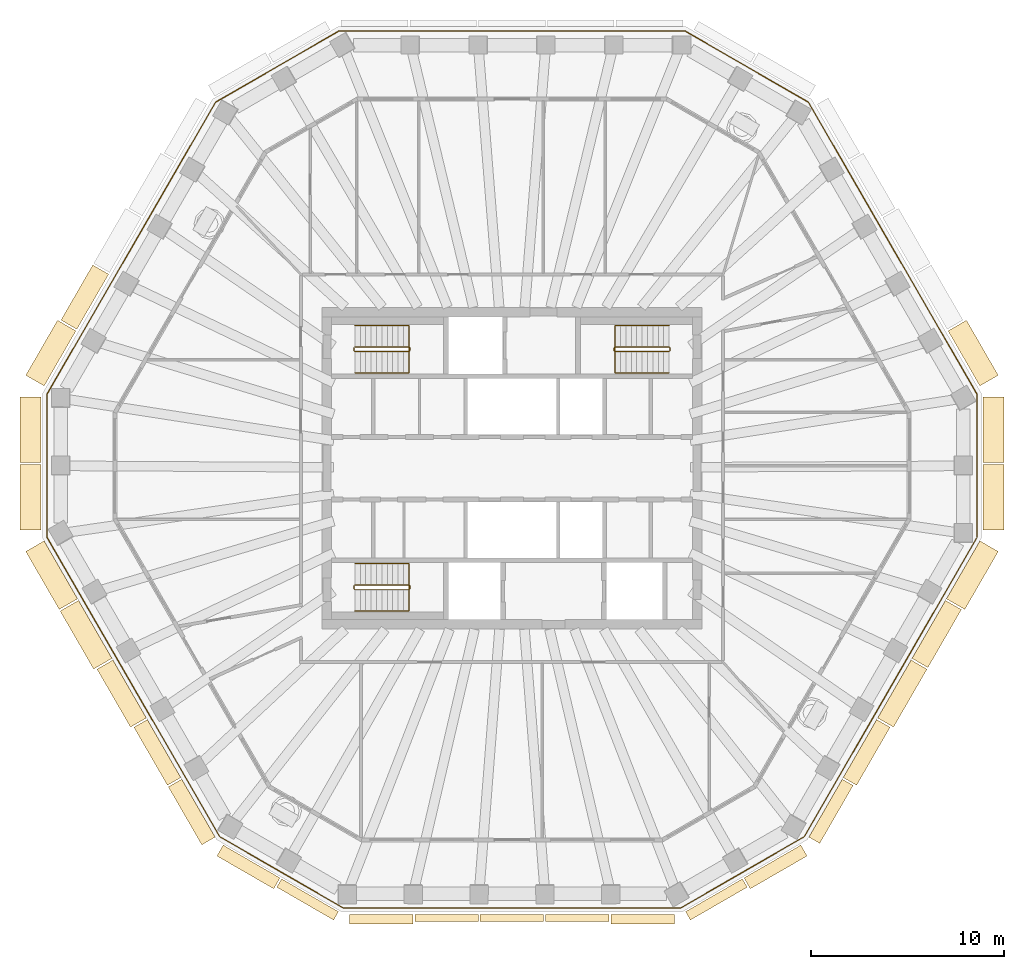
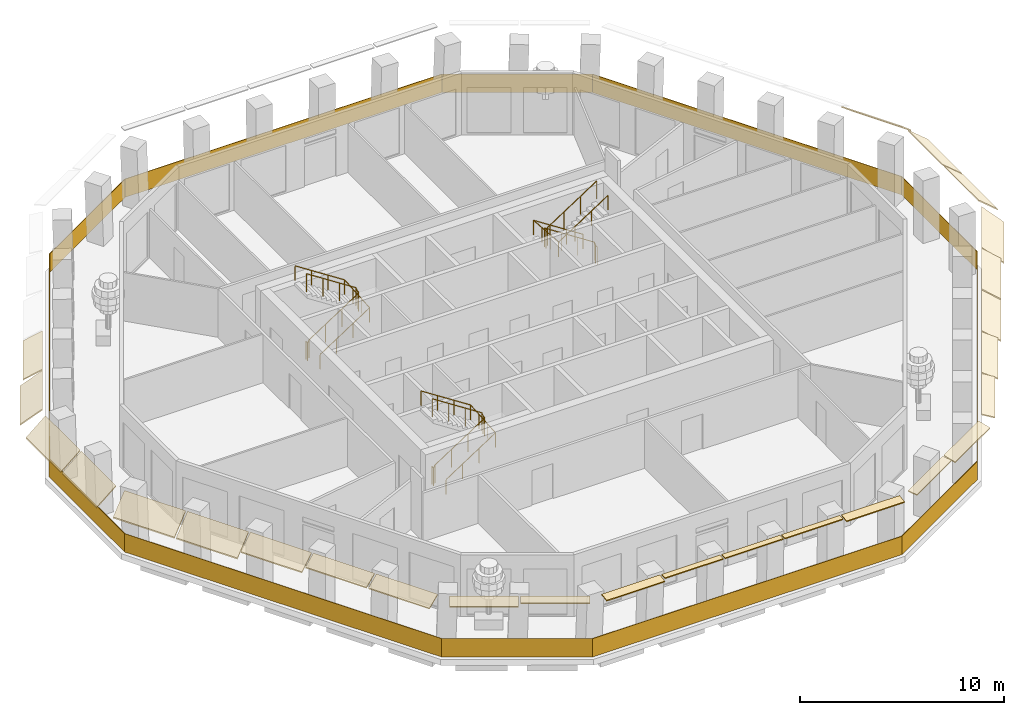
# One storey, part 9 of 12: 26 coverings, 7 railings.
"""IFC4 building model written with IfcOpenShell, lengths in metres."""

from ifc_helpers import new_model, si_unit, direction, frame, origin, origin_2d, place, context, subcontext, project, spatial, polyline, rectangle, circle, outline, extrude, material, layer, layer_set, type_object, element, save


model = new_model("IFC4")

# Units and contexts
model_context = context("Model", 3, precision=1e-05, world=origin(), true_north=direction((0.0, 1.0)))
body_context = subcontext(model_context, "Body", "Model", "MODEL_VIEW")
ifc_project = project(units=[si_unit("LENGTHUNIT", "METRE"), si_unit("AREAUNIT", "SQUARE_METRE"), si_unit("VOLUMEUNIT", "CUBIC_METRE"), si_unit("PLANEANGLEUNIT", "RADIAN"), si_unit("MASSUNIT", "GRAM", prefix="KILO")], contexts=[model_context])

# Site, building, storey
site_placement = place(None, origin())
site = spatial("IfcSite", under=ifc_project, at=site_placement, CompositionType="ELEMENT")
building_placement = place(site_placement, origin())
building = spatial("IfcBuilding", under=site, at=building_placement, Name="Frailejon Research Tower", CompositionType="ELEMENT")
storey_placement = place(building_placement, frame((0.0, 0.0, 267.0)))
storey = spatial("IfcBuildingStorey", under=building, at=storey_placement, Name="L58", CompositionType="ELEMENT", Elevation=267.0)

# Coverings
ifc_material_1 = material(Name="Precast concrete C50/60", Category="concrete")
ifc_layer_1 = layer(ifc_material_1, 0.06005859375)
ifc_layer_set_1 = layer_set([ifc_layer_1], Name="Brim blade depth 1100")
covering_type_1 = type_object("IfcCoveringType", Name="Brim blade depth 1100", PredefinedType="CLADDING", material=ifc_layer_set_1)
for number, where, z_axis, x_axis, name in (
    (1, (24.4189453125, 0.201416015625, 3.85009765625), (0.0, -1.0, 0.0), (1.0, 0.0, 0.0), "Brim blade L58"),
    (2, (24.4189453125, 3.703369140625, 3.85009765625), (0.0, -1.0, 0.0), (1.0, 0.0, 0.0), "Brim blade L58"),
):
    element("IfcCovering", number, at=place(storey_placement, frame(where, z_axis=z_axis, x_axis=x_axis)), inside=storey, type_object=covering_type_1, Name=name, PredefinedType="CLADDING", context=body_context, shape_type="SweptSolid", body=[
        extrude(outline(polyline([(0.0, -0.078369140625), (1.10009765625, -1.001220703125), (1.10009765625, -0.923095703125), (0.0, 0.0), (0.0, -0.078369140625)])), origin(), (0.0, 0.0, 1.0), 3.402099609375),
    ])
for number, where, z_axis, x_axis, name in (
    (3, (22.619873046875, 7.1240234375, 3.85009765625), (0.500005590161, -0.866022176279, 0.0), (0.866022176279, 0.500005590161, 0.0), "Brim blade L58"),
    (4, (-24.2666015625, 4.271728515625, 3.85009765625), (0.500005590161, 0.866022176279, 0.0), (-0.866022176279, 0.500005590161, 0.0), "Brim blade L58"),
):
    element("IfcCovering", number, at=place(storey_placement, frame(where, z_axis=z_axis, x_axis=x_axis)), inside=storey, type_object=covering_type_1, Name=name, PredefinedType="CLADDING", context=body_context, shape_type="SweptSolid", body=[
        extrude(outline(polyline([(0.0, -0.078369140625), (1.10009765625, -1.001220703125), (1.10009765625, -0.923095703125), (0.0, 0.0), (0.0, -0.078369140625)])), origin(), (0.0, 0.0, 1.0), 3.293701171875),
    ])
for number, where, z_axis, x_axis, name in (
    (5, (-24.4189453125, 0.301513671875, 3.85009765625), (0.0, 1.0, 0.0), (-1.0, 0.0, 0.0), "Brim blade L58"),
    (6, (-24.4189453125, -3.20068359375, 3.85009765625), (0.0, 1.0, 0.0), (-1.0, 0.0, 0.0), "Brim blade L58"),
):
    element("IfcCovering", number, at=place(storey_placement, frame(where, z_axis=z_axis, x_axis=x_axis)), inside=storey, type_object=covering_type_1, Name=name, PredefinedType="CLADDING", context=body_context, shape_type="SweptSolid", body=[
        extrude(outline(polyline([(0.0, -0.078369140625), (1.10009765625, -1.001220703125), (1.10009765625, -0.923095703125), (0.0, 0.0), (0.0, -0.078369140625)])), origin(), (0.0, 0.0, 1.0), 3.402099609375),
    ])
for number, where, z_axis, x_axis, name in (
    (7, (-22.53271484375, -6.77197265625, 3.85009765625), (-0.5000127967, 0.86601801548, 0.0), (-0.86601801548, -0.5000127967, 0.0), "Brim blade L58"),
    (8, (-20.748779296875, -9.86181640625, 3.85009765625), (-0.500000659884, 0.8660250228, 0.0), (-0.8660250228, -0.500000659884, 0.0), "Brim blade L58"),
    (9, (24.2666015625, -3.768798828125, 3.85009765625), (-0.5000127967, -0.86601801548, 0.0), (0.86601801548, -0.5000127967, 0.0), "Brim blade L58"),
):
    element("IfcCovering", number, at=place(storey_placement, frame(where, z_axis=z_axis, x_axis=x_axis)), inside=storey, type_object=covering_type_1, Name=name, PredefinedType="CLADDING", context=body_context, shape_type="SweptSolid", body=[
        extrude(outline(polyline([(0.0, -0.078369140625), (1.10009765625, -1.001220703125), (1.10009765625, -0.923095703125), (0.0, 0.0), (0.0, -0.078369140625)])), origin(), (0.0, 0.0, 1.0), 3.4677734375),
    ])
ifc_material_2 = material(Name="Precast concrete C50/60", Category="concrete")
ifc_layer_2 = layer(ifc_material_2, 0.06005859375)
ifc_layer_set_2 = layer_set([ifc_layer_2], Name="Brim blade depth 350")
covering_type_2 = type_object("IfcCoveringType", Name="Brim blade depth 350", PredefinedType="CLADDING", material=ifc_layer_set_2)
for number, where, z_axis, x_axis, name in (
    (10, (-1.746826171875, -23.1513671875, 3.85009765625), (-1.0, 0.0, 0.0), (0.0, -1.0, 0.0), "Brim blade L58"),
    (11, (1.646728515625, -23.1513671875, 3.85009765625), (-1.0, 0.0, 0.0), (0.0, -1.0, 0.0), "Brim blade L58"),
    (12, (5.040283203125, -23.1513671875, 3.85009765625), (-1.0, 0.0, 0.0), (0.0, -1.0, 0.0), "Brim blade L58"),
):
    element("IfcCovering", number, at=place(storey_placement, frame(where, z_axis=z_axis, x_axis=x_axis)), inside=storey, type_object=covering_type_2, Name=name, PredefinedType="CLADDING", context=body_context, shape_type="SweptSolid", body=[
        extrude(outline(polyline([(0.0, -0.06005859375), (0.35009765625, -0.06005859375), (0.35009765625, 0.0), (0.0, 0.0), (0.0, -0.06005859375)])), origin(), (0.0, 0.0, 1.0), 3.293701171875),
    ])
ifc_material_3 = material(Name="Precast concrete C50/60", Category="concrete")
ifc_layer_3 = layer(ifc_material_3, 0.06005859375)
ifc_layer_set_3 = layer_set([ifc_layer_3], Name="Brim blade depth 500")
covering_type_3 = type_object("IfcCoveringType", Name="Brim blade depth 500", PredefinedType="CLADDING", material=ifc_layer_set_3)
covering_1_placement = place(storey_placement, frame((-9.002197265625, -22.9990234375, 3.85009765625), z_axis=(-0.866023907216, 0.500002592124, 0.0), x_axis=(-0.500002592124, -0.866023907216, 0.0)))
element("IfcCovering", 13, at=covering_1_placement, inside=storey, type_object=covering_type_3, Name="Brim blade L58", PredefinedType="CLADDING", context=body_context, shape_type="SweptSolid", body=[
    extrude(outline(polyline([(0.0, -0.060546875), (0.5, -0.130859375), (0.5, -0.0703125), (0.0, 0.0), (0.0, -0.060546875)])), origin(), (0.0, 0.0, 1.0), 3.402099609375),
])
for number, where, z_axis, x_axis, name in (
    (14, (-5.140380859375, -23.1513671875, 3.85009765625), (-1.0, 0.0, 0.0), (0.0, -1.0, 0.0), "Brim blade L58"),
    (15, (8.43408203125, -23.1513671875, 3.85009765625), (-1.0, 0.0, 0.0), (0.0, -1.0, 0.0), "Brim blade L58"),
):
    element("IfcCovering", number, at=place(storey_placement, frame(where, z_axis=z_axis, x_axis=x_axis)), inside=storey, type_object=covering_type_3, Name=name, PredefinedType="CLADDING", context=body_context, shape_type="SweptSolid", body=[
        extrude(outline(polyline([(0.0, -0.060546875), (0.5, -0.130859375), (0.5, -0.0703125), (0.0, 0.0), (0.0, -0.060546875)])), origin(), (0.0, 0.0, 1.0), 3.293701171875),
    ])
covering_2_placement = place(storey_placement, frame((11.948486328125, -21.298095703125, 3.85009765625), z_axis=(-0.866023907216, -0.500002592124, 0.0), x_axis=(0.500002592124, -0.866023907216, 0.0)))
element("IfcCovering", 16, at=covering_2_placement, inside=storey, type_object=covering_type_3, Name="Brim blade L58", PredefinedType="CLADDING", context=body_context, shape_type="SweptSolid", body=[
    extrude(outline(polyline([(0.0, -0.060546875), (0.5, -0.130859375), (0.5, -0.0703125), (0.0, 0.0), (0.0, -0.060546875)])), origin(), (0.0, 0.0, 1.0), 3.402099609375),
])
ifc_material_4 = material(Name="Precast concrete C50/60", Category="concrete")
ifc_layer_4 = layer(ifc_material_4, 0.06005859375)
ifc_layer_set_4 = layer_set([ifc_layer_4], Name="Brim blade depth 650")
covering_type_4 = type_object("IfcCoveringType", Name="Brim blade depth 650", PredefinedType="CLADDING", material=ifc_layer_set_4)
for number, where, z_axis, x_axis, name in (
    (17, (-12.03515625, -21.248046875, 3.85009765625), (-0.866016768138, 0.50001495708, 0.0), (-0.50001495708, -0.866016768138, 0.0), "Brim blade L58"),
    (18, (14.981201171875, -19.547119140625, 3.85009765625), (-0.866016768138, -0.50001495708, 0.0), (0.50001495708, -0.866016768138, 0.0), "Brim blade L58"),
):
    element("IfcCovering", number, at=place(storey_placement, frame(where, z_axis=z_axis, x_axis=x_axis)), inside=storey, type_object=covering_type_4, Name=name, PredefinedType="CLADDING", context=body_context, shape_type="SweptSolid", body=[
        extrude(outline(polyline([(0.0, -0.0625), (0.64990234375, -0.248779296875), (0.64990234375, -0.186279296875), (0.0, 0.0), (0.0, -0.0625)])), origin(), (0.0, 0.0, 1.0), 3.40185546875),
    ])
covering_3_placement = place(storey_placement, frame((17.131103515625, -16.1279296875, 3.85009765625), z_axis=(-0.5000127967, -0.86601801548, 0.0), x_axis=(0.86601801548, -0.5000127967, 0.0)))
element("IfcCovering", 19, at=covering_3_placement, inside=storey, type_object=covering_type_4, Name="Brim blade L58", PredefinedType="CLADDING", context=body_context, shape_type="SweptSolid", body=[
    extrude(outline(polyline([(0.0, -0.0625), (0.64990234375, -0.248779296875), (0.64990234375, -0.186279296875), (0.0, 0.0), (0.0, -0.0625)])), origin(), (0.0, 0.0, 1.0), 3.4677734375),
])
ifc_material_5 = material(Name="Precast concrete C50/60", Category="concrete")
ifc_layer_5 = layer(ifc_material_5, 0.06005859375)
ifc_layer_set_5 = layer_set([ifc_layer_5], Name="Brim blade depth 800")
covering_type_5 = type_object("IfcCoveringType", Name="Brim blade depth 800", PredefinedType="CLADDING", material=ifc_layer_set_5)
for number, where, z_axis, x_axis, name in (
    (20, (-17.18115234375, -16.04150390625, 3.85009765625), (-0.500000659884, 0.8660250228, 0.0), (-0.8660250228, -0.500000659884, 0.0), "Brim blade L58"),
    (21, (-15.397216796875, -19.131103515625, 3.85009765625), (-0.5000127967, 0.86601801548, 0.0), (-0.86601801548, -0.5000127967, 0.0), "Brim blade L58"),
    (22, (18.9150390625, -13.0380859375, 3.85009765625), (-0.500000659884, -0.8660250228, 0.0), (0.8660250228, -0.500000659884, 0.0), "Brim blade L58"),
):
    element("IfcCovering", number, at=place(storey_placement, frame(where, z_axis=z_axis, x_axis=x_axis)), inside=storey, type_object=covering_type_5, Name=name, PredefinedType="CLADDING", context=body_context, shape_type="SweptSolid", body=[
        extrude(outline(polyline([(0.0, -0.065673828125), (0.800048828125, -0.421875), (0.800048828125, -0.356201171875), (0.0, 0.0), (0.0, -0.065673828125)])), origin(), (0.0, 0.0, 1.0), 3.4677734375),
    ])
ifc_material_6 = material(Name="Precast concrete C50/60", Category="concrete")
ifc_layer_6 = layer(ifc_material_6, 0.06005859375)
ifc_layer_set_6 = layer_set([ifc_layer_6], Name="Brim blade depth 950")
covering_type_6 = type_object("IfcCoveringType", Name="Brim blade depth 950", PredefinedType="CLADDING", material=ifc_layer_set_6)
covering_4_placement = place(storey_placement, frame((-22.56982421875, 7.210693359375, 3.85009765625), z_axis=(0.500005590161, 0.866022176279, 0.0), x_axis=(-0.866022176279, 0.500005590161, 0.0)))
element("IfcCovering", 23, at=covering_4_placement, inside=storey, type_object=covering_type_6, Name="Brim blade L58", PredefinedType="CLADDING", context=body_context, shape_type="SweptSolid", body=[
    extrude(outline(polyline([(0.0, -0.07080078125), (0.949951171875, -0.664306640625), (0.949951171875, -0.593505859375), (0.0, 0.0), (0.0, -0.07080078125)])), origin(), (0.0, 0.0, 1.0), 3.293701171875),
])
for number, where, z_axis, x_axis, name in (
    (24, (-18.965087890625, -12.95166015625, 3.85009765625), (-0.500000659884, 0.8660250228, 0.0), (-0.8660250228, -0.500000659884, 0.0), "Brim blade L58"),
    (25, (20.698974609375, -9.948486328125, 3.85009765625), (-0.500000659884, -0.8660250228, 0.0), (0.8660250228, -0.500000659884, 0.0), "Brim blade L58"),
    (26, (22.48291015625, -6.858642578125, 3.85009765625), (-0.500000659884, -0.8660250228, 0.0), (0.8660250228, -0.500000659884, 0.0), "Brim blade L58"),
):
    element("IfcCovering", number, at=place(storey_placement, frame(where, z_axis=z_axis, x_axis=x_axis)), inside=storey, type_object=covering_type_6, Name=name, PredefinedType="CLADDING", context=body_context, shape_type="SweptSolid", body=[
        extrude(outline(polyline([(0.0, -0.07080078125), (0.949951171875, -0.664306640625), (0.949951171875, -0.593505859375), (0.0, 0.0), (0.0, -0.07080078125)])), origin(), (0.0, 0.0, 1.0), 3.4677734375),
    ])

# Railings
ifc_material_7 = material(Name="Laminated glass balustrade", Category="glass")
railing_type_1 = type_object("IfcRailingType", Name="Glass guard 1100", PredefinedType="GUARDRAIL", material=ifc_material_7)
railing_1_placement = place(storey_placement, frame((24.128173828125, -3.572509765625, 0.0)))
element("IfcRailing", 27, at=railing_1_placement, inside=storey, type_object=railing_type_1, Name="Loggia guard L58", PredefinedType="GUARDRAIL", context=body_context, shape_type="SweptSolid", body=[
    extrude(rectangle(XDim=7.396240234375, YDim=0.030029296875, at=origin_2d()), frame((0.0, 3.6982421875, 0.0), z_axis=(0.0, 0.0, 1.0), x_axis=(0.0, 1.0, 0.0)), (0.0, 0.0, 1.0), 1.10009765625),
    extrude(rectangle(XDim=17.50537109375, YDim=0.030029296875, at=origin_2d()), frame((-4.37646484375, 14.976318359375, 0.0), z_axis=(0.0, 0.0, 1.0), x_axis=(-0.499998511388, 0.866026263233, 0.0)), (0.0, 0.0, 1.0), 1.10009765625),
    extrude(rectangle(XDim=7.39599609375, YDim=0.030029296875, at=origin_2d()), frame((-11.955078125, 24.4052734375, 0.0), z_axis=(0.0, 0.0, 1.0), x_axis=(-0.866022320763, 0.500005339912, 0.0)), (0.0, 0.0, 1.0), 1.10009765625),
    extrude(rectangle(XDim=17.94091796875, YDim=0.030029296875, at=origin_2d()), frame((-24.128173828125, 26.25439453125, 0.0), z_axis=(0.0, 0.0, 1.0), x_axis=(-1.0, 0.0, 0.0)), (0.0, 0.0, 1.0), 1.10009765625),
    extrude(rectangle(XDim=7.39599609375, YDim=0.030029296875, at=origin_2d()), frame((-36.30126953125, 24.4052734375, 0.0), z_axis=(0.0, 0.0, 1.0), x_axis=(-0.866022320763, -0.500005339912, 0.0)), (0.0, 0.0, 1.0), 1.10009765625),
    extrude(rectangle(XDim=17.50537109375, YDim=0.030029296875, at=origin_2d()), frame((-43.8798828125, 14.976318359375, 0.0), z_axis=(0.0, 0.0, 1.0), x_axis=(-0.499998511388, -0.866026263233, 0.0)), (0.0, 0.0, 1.0), 1.10009765625),
    extrude(rectangle(XDim=7.396240234375, YDim=0.030029296875, at=origin_2d()), frame((-48.25634765625, 3.6982421875, 0.0), z_axis=(0.0, 0.0, 1.0), x_axis=(0.0, -1.0, 0.0)), (0.0, 0.0, 1.0), 1.10009765625),
    extrude(rectangle(XDim=17.940673828125, YDim=0.030029296875, at=origin_2d()), frame((-43.771240234375, -7.7685546875, 0.0), z_axis=(0.0, 0.0, 1.0), x_axis=(0.499994170918, -0.86602876918, 0.0)), (0.0, 0.0, 1.0), 1.10009765625),
    extrude(rectangle(XDim=7.396240234375, YDim=0.030029296875, at=origin_2d()), frame((-36.08349609375, -17.38623046875, 0.0), z_axis=(0.0, 0.0, 1.0), x_axis=(0.866030573133, -0.49999104632, 0.0)), (0.0, 0.0, 1.0), 1.10009765625),
    extrude(rectangle(XDim=17.50537109375, YDim=0.030029296875, at=origin_2d()), frame((-24.128173828125, -19.235107421875, 0.0), z_axis=(0.0, 0.0, 1.0), x_axis=(1.0, 0.0, 0.0)), (0.0, 0.0, 1.0), 1.10009765625),
    extrude(rectangle(XDim=7.396240234375, YDim=0.030029296875, at=origin_2d()), frame((-12.1728515625, -17.38623046875, 0.0), z_axis=(0.0, 0.0, 1.0), x_axis=(0.866030573133, 0.49999104632, 0.0)), (0.0, 0.0, 1.0), 1.10009765625),
    extrude(rectangle(XDim=17.870849609375, YDim=0.030029296875, at=origin_2d()), frame((-4.50244140625, -7.798828125, 0.0), z_axis=(0.0, 0.0, 1.0), x_axis=(0.499996021798, 0.866027700588, 0.0)), (0.0, 0.0, 1.0), 1.10009765625),
])
ifc_material_8 = material(Name="Stainless steel", Category="steel")
railing_type_2 = type_object("IfcRailingType", Name="Stair guard 1100", PredefinedType="GUARDRAIL", material=ifc_material_8)
railing_2_placement = place(storey_placement, frame((-8.199951171875, 6.25, 0.0)))
element("IfcRailing", 28, at=railing_2_placement, inside=storey, type_object=railing_type_2, Name="L58 ST1 stair guard 1", PredefinedType="GUARDRAIL", context=body_context, shape_type="SweptSolid", body=[
    extrude(circle(Radius=0.02392578125, at=origin_2d()), frame((0.0, 0.0, 1.076171875), z_axis=(0.0, -1.0, 0.0), x_axis=(1.0, 0.0, 0.0)), (0.0, 0.0, 1.0), 0.14990234375),
    extrude(circle(Radius=0.02392578125, at=origin_2d()), frame((0.0, -0.14990234375, 1.076171875), z_axis=(0.256435381639, -0.256435381639, 0.931923704005), x_axis=(0.707106781187, 0.707106781187, 0.0)), (0.0, 0.0, 1.0), 0.195068359375),
    extrude(circle(Radius=0.02392578125, at=origin_2d()), frame((0.050048828125, -0.199951171875, 1.2578125), z_axis=(0.83868413941, 0.0, 0.544618136222), x_axis=(0.0, 1.0, 0.0)), (0.0, 0.0, 1.0), 3.33837890625),
    extrude(circle(Radius=0.02392578125, at=origin_2d()), frame((2.849853515625, -0.199951171875, 3.076171875), z_axis=(0.707106781187, 0.707106781187, 0.0), x_axis=(-0.707106781187, 0.707106781187, 0.0)), (0.0, 0.0, 1.0), 0.07080078125),
    extrude(circle(Radius=0.02392578125, at=origin_2d()), frame((2.89990234375, -0.14990234375, 3.076171875), z_axis=(0.0, 1.0, 0.0), x_axis=(-1.0, 0.0, 0.0)), (0.0, 0.0, 1.0), 0.14990234375),
    extrude(circle(Radius=0.02392578125, at=origin_2d()), frame((2.89990234375, 0.0, 3.076171875), z_axis=(-0.256435381639, 0.256435381639, 0.931923704005), x_axis=(-0.707106781187, -0.707106781187, 0.0)), (0.0, 0.0, 1.0), 0.195068359375),
    extrude(circle(Radius=0.02392578125, at=origin_2d()), frame((2.849853515625, 0.050048828125, 3.2578125), z_axis=(-0.83868413941, 0.0, 0.544618136222), x_axis=(0.0, -1.0, 0.0)), (0.0, 0.0, 1.0), 3.33837890625),
    extrude(circle(Radius=0.02099609375, at=origin_2d()), origin(), (0.0, 0.0, 1.0), 1.052001953125),
    extrude(circle(Radius=0.02099609375, at=origin_2d()), frame((0.0, -0.14990234375, 0.0)), (0.0, 0.0, 1.0), 1.052001953125),
    extrude(circle(Radius=0.02099609375, at=origin_2d()), frame((0.050048828125, -0.199951171875, 0.181884765625)), (0.0, 0.0, 1.0), 1.052001953125),
    extrude(circle(Radius=0.02099609375, at=origin_2d()), frame((0.9833984375, -0.199951171875, 0.787841796875)), (0.0, 0.0, 1.0), 1.052001953125),
    extrude(circle(Radius=0.02099609375, at=origin_2d()), frame((1.91650390625, -0.199951171875, 1.39404296875)), (0.0, 0.0, 1.0), 1.052001953125),
    extrude(circle(Radius=0.02099609375, at=origin_2d()), frame((2.849853515625, -0.199951171875, 2.0)), (0.0, 0.0, 1.0), 1.052001953125),
    extrude(circle(Radius=0.02099609375, at=origin_2d()), frame((2.89990234375, -0.14990234375, 2.0)), (0.0, 0.0, 1.0), 1.052001953125),
    extrude(circle(Radius=0.02099609375, at=origin_2d()), frame((2.89990234375, 0.0, 2.0)), (0.0, 0.0, 1.0), 1.052001953125),
    extrude(circle(Radius=0.02099609375, at=origin_2d()), frame((2.849853515625, 0.050048828125, 2.181884765625)), (0.0, 0.0, 1.0), 1.052001953125),
    extrude(circle(Radius=0.02099609375, at=origin_2d()), frame((1.91650390625, 0.050048828125, 2.787841796875)), (0.0, 0.0, 1.0), 1.052001953125),
    extrude(circle(Radius=0.02099609375, at=origin_2d()), frame((0.9833984375, 0.050048828125, 3.39404296875)), (0.0, 0.0, 1.0), 1.052001953125),
    extrude(circle(Radius=0.02099609375, at=origin_2d()), frame((0.050048828125, 0.050048828125, 4.0)), (0.0, 0.0, 1.0), 1.052001953125),
])
railing_3_placement = place(storey_placement, frame((-8.199951171875, -6.10009765625, 0.0)))
element("IfcRailing", 29, at=railing_3_placement, inside=storey, type_object=railing_type_2, Name="L58 ST2 stair guard 1", PredefinedType="GUARDRAIL", context=body_context, shape_type="SweptSolid", body=[
    extrude(circle(Radius=0.02392578125, at=origin_2d()), frame((0.0, 0.0, 1.076171875), z_axis=(0.0, -1.0, 0.0), x_axis=(1.0, 0.0, 0.0)), (0.0, 0.0, 1.0), 0.14990234375),
    extrude(circle(Radius=0.02392578125, at=origin_2d()), frame((0.0, -0.14990234375, 1.076171875), z_axis=(0.256435381639, -0.256435381639, 0.931923704005), x_axis=(0.707106781187, 0.707106781187, 0.0)), (0.0, 0.0, 1.0), 0.195068359375),
    extrude(circle(Radius=0.02392578125, at=origin_2d()), frame((0.050048828125, -0.199951171875, 1.2578125), z_axis=(0.83868413941, 0.0, 0.544618136222), x_axis=(0.0, 1.0, 0.0)), (0.0, 0.0, 1.0), 3.33837890625),
    extrude(circle(Radius=0.02392578125, at=origin_2d()), frame((2.849853515625, -0.199951171875, 3.076171875), z_axis=(0.707106781187, 0.707106781187, 0.0), x_axis=(-0.707106781187, 0.707106781187, 0.0)), (0.0, 0.0, 1.0), 0.07080078125),
    extrude(circle(Radius=0.02392578125, at=origin_2d()), frame((2.89990234375, -0.14990234375, 3.076171875), z_axis=(0.0, 1.0, 0.0), x_axis=(-1.0, 0.0, 0.0)), (0.0, 0.0, 1.0), 0.14990234375),
    extrude(circle(Radius=0.02392578125, at=origin_2d()), frame((2.89990234375, 0.0, 3.076171875), z_axis=(-0.256435381639, 0.256435381639, 0.931923704005), x_axis=(-0.707106781187, -0.707106781187, 0.0)), (0.0, 0.0, 1.0), 0.195068359375),
    extrude(circle(Radius=0.02392578125, at=origin_2d()), frame((2.849853515625, 0.050048828125, 3.2578125), z_axis=(-0.83868413941, 0.0, 0.544618136222), x_axis=(0.0, -1.0, 0.0)), (0.0, 0.0, 1.0), 3.33837890625),
    extrude(circle(Radius=0.02099609375, at=origin_2d()), origin(), (0.0, 0.0, 1.0), 1.052001953125),
    extrude(circle(Radius=0.02099609375, at=origin_2d()), frame((0.0, -0.14990234375, 0.0)), (0.0, 0.0, 1.0), 1.052001953125),
    extrude(circle(Radius=0.02099609375, at=origin_2d()), frame((0.050048828125, -0.199951171875, 0.181884765625)), (0.0, 0.0, 1.0), 1.052001953125),
    extrude(circle(Radius=0.02099609375, at=origin_2d()), frame((0.9833984375, -0.199951171875, 0.787841796875)), (0.0, 0.0, 1.0), 1.052001953125),
    extrude(circle(Radius=0.02099609375, at=origin_2d()), frame((1.91650390625, -0.199951171875, 1.39404296875)), (0.0, 0.0, 1.0), 1.052001953125),
    extrude(circle(Radius=0.02099609375, at=origin_2d()), frame((2.849853515625, -0.199951171875, 2.0)), (0.0, 0.0, 1.0), 1.052001953125),
    extrude(circle(Radius=0.02099609375, at=origin_2d()), frame((2.89990234375, -0.14990234375, 2.0)), (0.0, 0.0, 1.0), 1.052001953125),
    extrude(circle(Radius=0.02099609375, at=origin_2d()), frame((2.89990234375, 0.0, 2.0)), (0.0, 0.0, 1.0), 1.052001953125),
    extrude(circle(Radius=0.02099609375, at=origin_2d()), frame((2.849853515625, 0.050048828125, 2.181884765625)), (0.0, 0.0, 1.0), 1.052001953125),
    extrude(circle(Radius=0.02099609375, at=origin_2d()), frame((1.91650390625, 0.050048828125, 2.787841796875)), (0.0, 0.0, 1.0), 1.052001953125),
    extrude(circle(Radius=0.02099609375, at=origin_2d()), frame((0.9833984375, 0.050048828125, 3.39404296875)), (0.0, 0.0, 1.0), 1.052001953125),
    extrude(circle(Radius=0.02099609375, at=origin_2d()), frame((0.050048828125, 0.050048828125, 4.0)), (0.0, 0.0, 1.0), 1.052001953125),
])
railing_4_placement = place(storey_placement, frame((8.199951171875, 6.10009765625, 0.0)))
element("IfcRailing", 30, at=railing_4_placement, inside=storey, type_object=railing_type_2, Name="L58 ST3 stair guard 1", PredefinedType="GUARDRAIL", context=body_context, shape_type="SweptSolid", body=[
    extrude(circle(Radius=0.02392578125, at=origin_2d()), frame((0.0, 0.0, 1.076171875), z_axis=(0.0, 1.0, 0.0), x_axis=(-1.0, 0.0, 0.0)), (0.0, 0.0, 1.0), 0.14990234375),
    extrude(circle(Radius=0.02392578125, at=origin_2d()), frame((0.0, 0.14990234375, 1.076171875), z_axis=(-0.256435381639, 0.256435381639, 0.931923704005), x_axis=(-0.707106781187, -0.707106781187, 0.0)), (0.0, 0.0, 1.0), 0.195068359375),
    extrude(circle(Radius=0.02392578125, at=origin_2d()), frame((-0.050048828125, 0.199951171875, 1.2578125), z_axis=(-0.83868413941, 0.0, 0.544618136222), x_axis=(0.0, -1.0, 0.0)), (0.0, 0.0, 1.0), 3.33837890625),
    extrude(circle(Radius=0.02392578125, at=origin_2d()), frame((-2.849853515625, 0.199951171875, 3.076171875), z_axis=(-0.707106781187, -0.707106781187, 0.0), x_axis=(0.707106781187, -0.707106781187, 0.0)), (0.0, 0.0, 1.0), 0.07080078125),
    extrude(circle(Radius=0.02392578125, at=origin_2d()), frame((-2.89990234375, 0.14990234375, 3.076171875), z_axis=(0.0, -1.0, 0.0), x_axis=(1.0, 0.0, 0.0)), (0.0, 0.0, 1.0), 0.14990234375),
    extrude(circle(Radius=0.02392578125, at=origin_2d()), frame((-2.89990234375, 0.0, 3.076171875), z_axis=(0.256435381639, -0.256435381639, 0.931923704005), x_axis=(0.707106781187, 0.707106781187, 0.0)), (0.0, 0.0, 1.0), 0.195068359375),
    extrude(circle(Radius=0.02392578125, at=origin_2d()), frame((-2.849853515625, -0.050048828125, 3.2578125), z_axis=(0.83868413941, 0.0, 0.544618136222), x_axis=(0.0, 1.0, 0.0)), (0.0, 0.0, 1.0), 3.33837890625),
    extrude(circle(Radius=0.02099609375, at=origin_2d()), origin(), (0.0, 0.0, 1.0), 1.052001953125),
    extrude(circle(Radius=0.02099609375, at=origin_2d()), frame((0.0, 0.14990234375, 0.0)), (0.0, 0.0, 1.0), 1.052001953125),
    extrude(circle(Radius=0.02099609375, at=origin_2d()), frame((-0.050048828125, 0.199951171875, 0.181884765625)), (0.0, 0.0, 1.0), 1.052001953125),
    extrude(circle(Radius=0.02099609375, at=origin_2d()), frame((-0.9833984375, 0.199951171875, 0.787841796875)), (0.0, 0.0, 1.0), 1.052001953125),
    extrude(circle(Radius=0.02099609375, at=origin_2d()), frame((-1.91650390625, 0.199951171875, 1.39404296875)), (0.0, 0.0, 1.0), 1.052001953125),
    extrude(circle(Radius=0.02099609375, at=origin_2d()), frame((-2.849853515625, 0.199951171875, 2.0)), (0.0, 0.0, 1.0), 1.052001953125),
    extrude(circle(Radius=0.02099609375, at=origin_2d()), frame((-2.89990234375, 0.14990234375, 2.0)), (0.0, 0.0, 1.0), 1.052001953125),
    extrude(circle(Radius=0.02099609375, at=origin_2d()), frame((-2.89990234375, 0.0, 2.0)), (0.0, 0.0, 1.0), 1.052001953125),
    extrude(circle(Radius=0.02099609375, at=origin_2d()), frame((-2.849853515625, -0.050048828125, 2.181884765625)), (0.0, 0.0, 1.0), 1.052001953125),
    extrude(circle(Radius=0.02099609375, at=origin_2d()), frame((-1.91650390625, -0.050048828125, 2.787841796875)), (0.0, 0.0, 1.0), 1.052001953125),
    extrude(circle(Radius=0.02099609375, at=origin_2d()), frame((-0.9833984375, -0.050048828125, 3.39404296875)), (0.0, 0.0, 1.0), 1.052001953125),
    extrude(circle(Radius=0.02099609375, at=origin_2d()), frame((-0.050048828125, -0.050048828125, 4.0)), (0.0, 0.0, 1.0), 1.052001953125),
])
ifc_material_9 = material(Name="Stainless steel", Category="steel")
railing_type_3 = type_object("IfcRailingType", Name="Stair handrail 900", PredefinedType="HANDRAIL", material=ifc_material_9)
railing_5_placement = place(storey_placement, frame((-8.14990234375, 4.949951171875, 0.181884765625)))
element("IfcRailing", 31, at=railing_5_placement, inside=storey, type_object=railing_type_3, Name="L58 ST1 stair handrail 1", PredefinedType="HANDRAIL", context=body_context, shape_type="SweptSolid", body=[
    extrude(circle(Radius=0.02392578125, at=origin_2d()), frame((0.0, 0.0, 0.8759765625), z_axis=(0.83868413941, 0.0, 0.544618136222), x_axis=(0.0, 1.0, 0.0)), (0.0, 0.0, 1.0), 3.33837890625),
    extrude(circle(Radius=0.02392578125, at=origin_2d()), frame((2.7998046875, 0.0, 2.69384765625), z_axis=(0.0, 0.997255538948, 0.074036410216), x_axis=(-1.0, 0.0, 0.0)), (0.0, 0.0, 1.0), 2.456787109375),
    extrude(circle(Radius=0.02392578125, at=origin_2d()), frame((2.7998046875, 2.449951171875, 2.8759765625), z_axis=(-0.83868413941, 0.0, 0.544618136222), x_axis=(0.0, -1.0, 0.0)), (0.0, 0.0, 1.0), 3.33837890625),
    extrude(circle(Radius=0.02099609375, at=origin_2d()), origin(), (0.0, 0.0, 1.0), 0.851806640625),
    extrude(circle(Radius=0.02099609375, at=origin_2d()), frame((0.933349609375, 0.0, 0.60595703125)), (0.0, 0.0, 1.0), 0.851806640625),
    extrude(circle(Radius=0.02099609375, at=origin_2d()), frame((1.866455078125, 0.0, 1.212158203125)), (0.0, 0.0, 1.0), 0.851806640625),
    extrude(circle(Radius=0.02099609375, at=origin_2d()), frame((2.7998046875, 0.0, 1.818115234375)), (0.0, 0.0, 1.0), 0.851806640625),
    extrude(circle(Radius=0.02099609375, at=origin_2d()), frame((2.7998046875, 0.816650390625, 1.878662109375)), (0.0, 0.0, 1.0), 0.851806640625),
    extrude(circle(Radius=0.02099609375, at=origin_2d()), frame((2.7998046875, 1.63330078125, 1.939453125)), (0.0, 0.0, 1.0), 0.851806640625),
    extrude(circle(Radius=0.02099609375, at=origin_2d()), frame((2.7998046875, 2.449951171875, 2.0)), (0.0, 0.0, 1.0), 0.851806640625),
    extrude(circle(Radius=0.02099609375, at=origin_2d()), frame((1.866455078125, 2.449951171875, 2.60595703125)), (0.0, 0.0, 1.0), 0.851806640625),
    extrude(circle(Radius=0.02099609375, at=origin_2d()), frame((0.933349609375, 2.449951171875, 3.212158203125)), (0.0, 0.0, 1.0), 0.851806640625),
    extrude(circle(Radius=0.02099609375, at=origin_2d()), frame((0.0, 2.449951171875, 3.818115234375)), (0.0, 0.0, 1.0), 0.851806640625),
])
railing_6_placement = place(storey_placement, frame((-8.14990234375, -7.39990234375, 0.181884765625)))
element("IfcRailing", 32, at=railing_6_placement, inside=storey, type_object=railing_type_3, Name="L58 ST2 stair handrail 1", PredefinedType="HANDRAIL", context=body_context, shape_type="SweptSolid", body=[
    extrude(circle(Radius=0.02392578125, at=origin_2d()), frame((0.0, 0.0, 0.8759765625), z_axis=(0.83868413941, 0.0, 0.544618136222), x_axis=(0.0, 1.0, 0.0)), (0.0, 0.0, 1.0), 3.33837890625),
    extrude(circle(Radius=0.02392578125, at=origin_2d()), frame((2.7998046875, 0.0, 2.69384765625), z_axis=(0.0, 0.997255538948, 0.074036410216), x_axis=(-1.0, 0.0, 0.0)), (0.0, 0.0, 1.0), 2.456787109375),
    extrude(circle(Radius=0.02392578125, at=origin_2d()), frame((2.7998046875, 2.449951171875, 2.8759765625), z_axis=(-0.83868413941, 0.0, 0.544618136222), x_axis=(0.0, -1.0, 0.0)), (0.0, 0.0, 1.0), 3.33837890625),
    extrude(circle(Radius=0.02099609375, at=origin_2d()), origin(), (0.0, 0.0, 1.0), 0.851806640625),
    extrude(circle(Radius=0.02099609375, at=origin_2d()), frame((0.933349609375, 0.0, 0.60595703125)), (0.0, 0.0, 1.0), 0.851806640625),
    extrude(circle(Radius=0.02099609375, at=origin_2d()), frame((1.866455078125, 0.0, 1.212158203125)), (0.0, 0.0, 1.0), 0.851806640625),
    extrude(circle(Radius=0.02099609375, at=origin_2d()), frame((2.7998046875, 0.0, 1.818115234375)), (0.0, 0.0, 1.0), 0.851806640625),
    extrude(circle(Radius=0.02099609375, at=origin_2d()), frame((2.7998046875, 0.816650390625, 1.878662109375)), (0.0, 0.0, 1.0), 0.851806640625),
    extrude(circle(Radius=0.02099609375, at=origin_2d()), frame((2.7998046875, 1.63330078125, 1.939453125)), (0.0, 0.0, 1.0), 0.851806640625),
    extrude(circle(Radius=0.02099609375, at=origin_2d()), frame((2.7998046875, 2.449951171875, 2.0)), (0.0, 0.0, 1.0), 0.851806640625),
    extrude(circle(Radius=0.02099609375, at=origin_2d()), frame((1.866455078125, 2.449951171875, 2.60595703125)), (0.0, 0.0, 1.0), 0.851806640625),
    extrude(circle(Radius=0.02099609375, at=origin_2d()), frame((0.933349609375, 2.449951171875, 3.212158203125)), (0.0, 0.0, 1.0), 0.851806640625),
    extrude(circle(Radius=0.02099609375, at=origin_2d()), frame((0.0, 2.449951171875, 3.818115234375)), (0.0, 0.0, 1.0), 0.851806640625),
])
railing_7_placement = place(storey_placement, frame((8.14990234375, 7.39990234375, 0.181884765625)))
element("IfcRailing", 33, at=railing_7_placement, inside=storey, type_object=railing_type_3, Name="L58 ST3 stair handrail 1", PredefinedType="HANDRAIL", context=body_context, shape_type="SweptSolid", body=[
    extrude(circle(Radius=0.02392578125, at=origin_2d()), frame((0.0, 0.0, 0.8759765625), z_axis=(-0.83868413941, 0.0, 0.544618136222), x_axis=(0.0, -1.0, 0.0)), (0.0, 0.0, 1.0), 3.33837890625),
    extrude(circle(Radius=0.02392578125, at=origin_2d()), frame((-2.7998046875, 0.0, 2.69384765625), z_axis=(0.0, -0.997255538948, 0.074036410216), x_axis=(1.0, 0.0, 0.0)), (0.0, 0.0, 1.0), 2.456787109375),
    extrude(circle(Radius=0.02392578125, at=origin_2d()), frame((-2.7998046875, -2.449951171875, 2.8759765625), z_axis=(0.83868413941, 0.0, 0.544618136222), x_axis=(0.0, 1.0, 0.0)), (0.0, 0.0, 1.0), 3.33837890625),
    extrude(circle(Radius=0.02099609375, at=origin_2d()), origin(), (0.0, 0.0, 1.0), 0.851806640625),
    extrude(circle(Radius=0.02099609375, at=origin_2d()), frame((-0.933349609375, 0.0, 0.60595703125)), (0.0, 0.0, 1.0), 0.851806640625),
    extrude(circle(Radius=0.02099609375, at=origin_2d()), frame((-1.866455078125, 0.0, 1.212158203125)), (0.0, 0.0, 1.0), 0.851806640625),
    extrude(circle(Radius=0.02099609375, at=origin_2d()), frame((-2.7998046875, 0.0, 1.818115234375)), (0.0, 0.0, 1.0), 0.851806640625),
    extrude(circle(Radius=0.02099609375, at=origin_2d()), frame((-2.7998046875, -0.816650390625, 1.878662109375)), (0.0, 0.0, 1.0), 0.851806640625),
    extrude(circle(Radius=0.02099609375, at=origin_2d()), frame((-2.7998046875, -1.63330078125, 1.939453125)), (0.0, 0.0, 1.0), 0.851806640625),
    extrude(circle(Radius=0.02099609375, at=origin_2d()), frame((-2.7998046875, -2.449951171875, 2.0)), (0.0, 0.0, 1.0), 0.851806640625),
    extrude(circle(Radius=0.02099609375, at=origin_2d()), frame((-1.866455078125, -2.449951171875, 2.60595703125)), (0.0, 0.0, 1.0), 0.851806640625),
    extrude(circle(Radius=0.02099609375, at=origin_2d()), frame((-0.933349609375, -2.449951171875, 3.212158203125)), (0.0, 0.0, 1.0), 0.851806640625),
    extrude(circle(Radius=0.02099609375, at=origin_2d()), frame((0.0, -2.449951171875, 3.818115234375)), (0.0, 0.0, 1.0), 0.851806640625),
])

save(model, "model.ifc")
